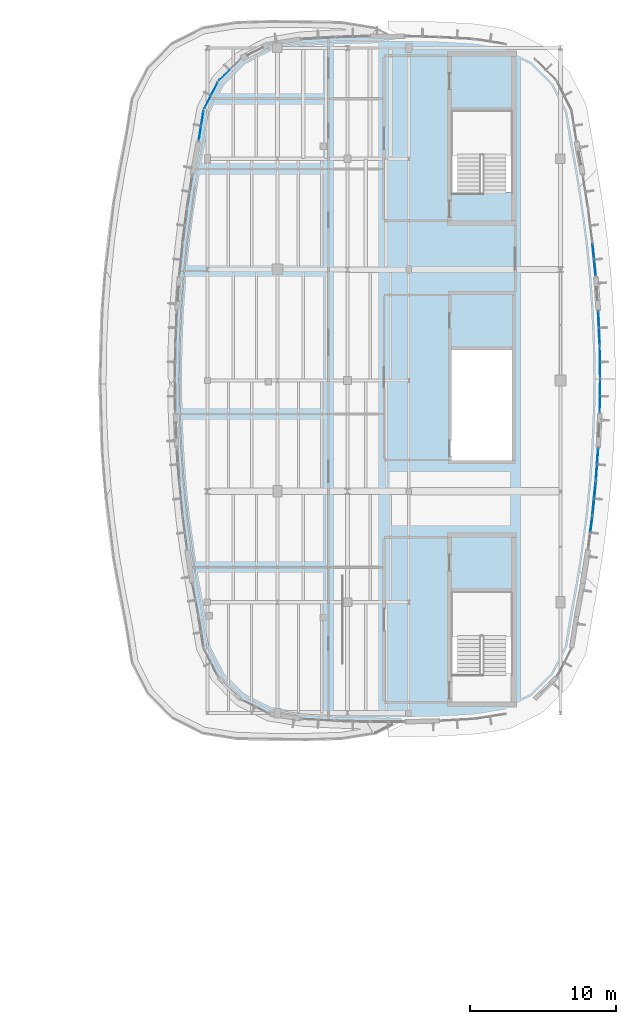
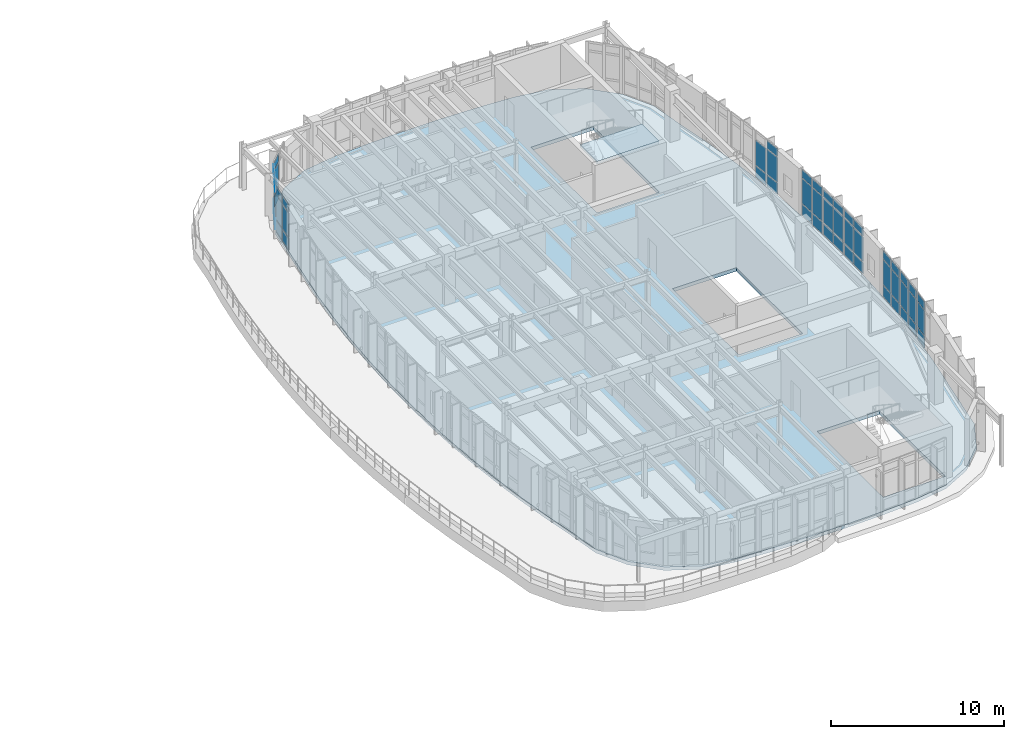
# One storey, part 20 of 30: 53 plates, 2 slabs, 11 elements without a shape of their own.
"""IFC4 building model written with IfcOpenShell, lengths in metres."""

from ifc_helpers import new_model, si_unit, direction, frame, origin, origin_2d, place, context, subcontext, project, spatial, polyline, rectangle, outline, extrude, material, layer, layer_set, type_object, element, aggregate, save


model = new_model("IFC4")

# Units and contexts
model_context = context("Model", 3, precision=1e-05, world=origin(), true_north=direction((0.0, 1.0)))
body_context = subcontext(model_context, "Body", "Model", "MODEL_VIEW")
ifc_project = project(units=[si_unit("LENGTHUNIT", "METRE"), si_unit("AREAUNIT", "SQUARE_METRE"), si_unit("VOLUMEUNIT", "CUBIC_METRE"), si_unit("PLANEANGLEUNIT", "RADIAN"), si_unit("MASSUNIT", "GRAM", prefix="KILO")], contexts=[model_context])

# Site, building, storey
site_placement = place(None, origin())
site = spatial("IfcSite", under=ifc_project, at=site_placement, CompositionType="ELEMENT")
building_placement = place(site_placement, origin())
building = spatial("IfcBuilding", under=site, at=building_placement, Name="Corveleigh Park Community Centre", CompositionType="ELEMENT")
storey_placement = place(building_placement, frame((0.0, 0.0, 12.60009765625)))
storey = spatial("IfcBuildingStorey", under=building, at=storey_placement, Name="L03", CompositionType="ELEMENT", Elevation=12.60009765625)

# Curtain wall, plates
ifc_material_1 = material(Name="Anodised aluminium 6063-T6", Category="aluminium")
curtain_wall_type = type_object("IfcCurtainWallType", Name="CW-SYS-V4-L03", PredefinedType="NOTDEFINED", material=ifc_material_1)
curtain_wall_1_placement = place(storey_placement, origin())
curtain_wall_1 = element("IfcCurtainWall", 1, at=curtain_wall_1_placement, inside=storey, type_object=curtain_wall_type, Name="V4 L03 Curtain Wall 409", PredefinedType="NOTDEFINED")
ifc_material_2 = material(Name="Low-E double glazing", Category="glass")
ifc_layer_1 = layer(ifc_material_2, 0.02392578125, Name="Low-E double glazing", Category="glass")
ifc_layer_set_1 = layer_set([ifc_layer_1], Name="Low-E double glazing")
plate_type_1 = type_object("IfcPlateType", Name="CWP-GLZ-24", PredefinedType="CURTAIN_PANEL", material=ifc_layer_set_1)
plate_1_placement = place(storey_placement, frame((171.116455078125, 80.89453125, 0.074951171875), z_axis=(0.0, 0.0, 1.0), x_axis=(-0.014186018617, -0.999899373375, 0.0)))
plate_1 = element("IfcPlate", 2, at=plate_1_placement, type_object=plate_type_1, Name="CW09 panel 1.1", PredefinedType="CURTAIN_PANEL", context=body_context, shape_type="SweptSolid", body=[
    extrude(rectangle(XDim=1.072998046875, YDim=0.02392578125, at=origin_2d()), origin(), (0.0, 0.0, 1.0), 0.78759765625),
])
plate_2_placement = place(storey_placement, frame((171.116455078125, 80.89453125, 0.9375), z_axis=(0.0, 0.0, 1.0), x_axis=(-0.014186018617, -0.999899373375, 0.0)))
plate_2 = element("IfcPlate", 3, at=plate_2_placement, type_object=plate_type_1, Name="CW09 panel 1.2", PredefinedType="CURTAIN_PANEL", context=body_context, shape_type="SweptSolid", body=[
    extrude(rectangle(XDim=1.072998046875, YDim=0.02392578125, at=origin_2d()), origin(), (0.0, 0.0, 1.0), 1.73193359375),
])
plate_3_placement = place(storey_placement, frame((171.116455078125, 80.89453125, 2.744384765625), z_axis=(0.0, 0.0, 1.0), x_axis=(-0.014186018617, -0.999899373375, 0.0)))
plate_3 = element("IfcPlate", 4, at=plate_3_placement, type_object=plate_type_1, Name="CW09 panel 1.3", PredefinedType="CURTAIN_PANEL", context=body_context, shape_type="SweptSolid", body=[
    extrude(rectangle(XDim=1.072998046875, YDim=0.02392578125, at=origin_2d()), origin(), (0.0, 0.0, 1.0), 0.53759765625),
])
plate_4_placement = place(storey_placement, frame((171.100341796875, 79.761474609375, 0.074951171875), z_axis=(0.0, 0.0, 1.0), x_axis=(-0.014186018617, -0.999899373375, 0.0)))
plate_4 = element("IfcPlate", 5, at=plate_4_placement, type_object=plate_type_1, Name="CW09 panel 2.1", PredefinedType="CURTAIN_PANEL", context=body_context, shape_type="SweptSolid", body=[
    extrude(rectangle(XDim=1.072998046875, YDim=0.02392578125, at=origin_2d()), origin(), (0.0, 0.0, 1.0), 0.78759765625),
])
plate_5_placement = place(storey_placement, frame((171.100341796875, 79.761474609375, 0.9375), z_axis=(0.0, 0.0, 1.0), x_axis=(-0.014186018617, -0.999899373375, 0.0)))
plate_5 = element("IfcPlate", 6, at=plate_5_placement, type_object=plate_type_1, Name="CW09 panel 2.2", PredefinedType="CURTAIN_PANEL", context=body_context, shape_type="SweptSolid", body=[
    extrude(rectangle(XDim=1.072998046875, YDim=0.02392578125, at=origin_2d()), origin(), (0.0, 0.0, 1.0), 1.73193359375),
])
plate_6_placement = place(storey_placement, frame((171.100341796875, 79.761474609375, 2.744384765625), z_axis=(0.0, 0.0, 1.0), x_axis=(-0.014186018617, -0.999899373375, 0.0)))
plate_6 = element("IfcPlate", 7, at=plate_6_placement, type_object=plate_type_1, Name="CW09 panel 2.3", PredefinedType="CURTAIN_PANEL", context=body_context, shape_type="SweptSolid", body=[
    extrude(rectangle(XDim=1.072998046875, YDim=0.02392578125, at=origin_2d()), origin(), (0.0, 0.0, 1.0), 0.53759765625),
])
aggregate(curtain_wall_1, [plate_1, plate_2, plate_3, plate_4, plate_5, plate_6])

curtain_wall_2_placement = place(storey_placement, origin())
curtain_wall_2 = element("IfcCurtainWall", 8, at=curtain_wall_2_placement, inside=storey, type_object=curtain_wall_type, Name="V4 L03 Curtain Wall 410", PredefinedType="NOTDEFINED")
plate_7_placement = place(storey_placement, frame((171.1005859375, 83.2373046875, 0.080078125), z_axis=(0.0, 0.0, 1.0), x_axis=(0.014186018617, -0.999899373375, 0.0)))
plate_7 = element("IfcPlate", 9, at=plate_7_placement, type_object=plate_type_1, Name="CW09 panel 1.1", PredefinedType="CURTAIN_PANEL", context=body_context, shape_type="SweptSolid", body=[
    extrude(rectangle(XDim=1.065673828125, YDim=0.02392578125, at=origin_2d()), origin(), (0.0, 0.0, 1.0), 0.780029296875),
])
plate_8_placement = place(storey_placement, frame((171.1005859375, 83.2373046875, 0.93994140625), z_axis=(0.0, 0.0, 1.0), x_axis=(0.014186018617, -0.999899373375, 0.0)))
plate_8 = element("IfcPlate", 10, at=plate_8_placement, type_object=plate_type_1, Name="CW09 panel 1.2", PredefinedType="CURTAIN_PANEL", context=body_context, shape_type="SweptSolid", body=[
    extrude(rectangle(XDim=1.065673828125, YDim=0.02392578125, at=origin_2d()), origin(), (0.0, 0.0, 1.0), 1.72705078125),
])
plate_9_placement = place(storey_placement, frame((171.1005859375, 83.2373046875, 2.7470703125), z_axis=(0.0, 0.0, 1.0), x_axis=(0.014186018617, -0.999899373375, 0.0)))
plate_9 = element("IfcPlate", 11, at=plate_9_placement, type_object=plate_type_1, Name="CW09 panel 1.3", PredefinedType="CURTAIN_PANEL", context=body_context, shape_type="SweptSolid", body=[
    extrude(rectangle(XDim=1.065673828125, YDim=0.02392578125, at=origin_2d()), origin(), (0.0, 0.0, 1.0), 0.530029296875),
])
plate_10_placement = place(storey_placement, frame((171.116455078125, 82.106689453125, 0.080078125), z_axis=(0.0, 0.0, 1.0), x_axis=(0.014186018617, -0.999899373375, 0.0)))
plate_10 = element("IfcPlate", 12, at=plate_10_placement, type_object=plate_type_1, Name="CW09 panel 2.1", PredefinedType="CURTAIN_PANEL", context=body_context, shape_type="SweptSolid", body=[
    extrude(rectangle(XDim=1.065673828125, YDim=0.02392578125, at=origin_2d()), origin(), (0.0, 0.0, 1.0), 0.780029296875),
])
plate_11_placement = place(storey_placement, frame((171.116455078125, 82.106689453125, 0.93994140625), z_axis=(0.0, 0.0, 1.0), x_axis=(0.014186018617, -0.999899373375, 0.0)))
plate_11 = element("IfcPlate", 13, at=plate_11_placement, type_object=plate_type_1, Name="CW09 panel 2.2", PredefinedType="CURTAIN_PANEL", context=body_context, shape_type="SweptSolid", body=[
    extrude(rectangle(XDim=1.065673828125, YDim=0.02392578125, at=origin_2d()), origin(), (0.0, 0.0, 1.0), 1.72705078125),
])
plate_12_placement = place(storey_placement, frame((171.116455078125, 82.106689453125, 2.7470703125), z_axis=(0.0, 0.0, 1.0), x_axis=(0.014186018617, -0.999899373375, 0.0)))
plate_12 = element("IfcPlate", 14, at=plate_12_placement, type_object=plate_type_1, Name="CW09 panel 2.3", PredefinedType="CURTAIN_PANEL", context=body_context, shape_type="SweptSolid", body=[
    extrude(rectangle(XDim=1.065673828125, YDim=0.02392578125, at=origin_2d()), origin(), (0.0, 0.0, 1.0), 0.530029296875),
])
aggregate(curtain_wall_2, [plate_7, plate_8, plate_9, plate_10, plate_11, plate_12])

curtain_wall_3_placement = place(storey_placement, origin())
curtain_wall_3 = element("IfcCurtainWall", 15, at=curtain_wall_3_placement, inside=storey, type_object=curtain_wall_type, Name="V4 L03 Curtain Wall 411", PredefinedType="NOTDEFINED")
ifc_layer_2 = layer(ifc_material_2, 0.028076171875, Name="Low-E double glazing", Category="glass")
ifc_layer_set_2 = layer_set([ifc_layer_2], Name="Low-E double glazing")
plate_type_2 = type_object("IfcPlateType", Name="CWP-GLZ-28", PredefinedType="CURTAIN_PANEL", material=ifc_layer_set_2)
plate_13_placement = place(storey_placement, frame((171.017822265625, 85.577880859375, 0.059814453125), z_axis=(0.0, 0.0, 1.0), x_axis=(0.043007952221, -0.999074729961, 0.0)))
plate_13 = element("IfcPlate", 16, at=plate_13_placement, type_object=plate_type_2, Name="CW09 panel 1.1", PredefinedType="CURTAIN_PANEL", context=body_context, shape_type="SweptSolid", body=[
    extrude(rectangle(XDim=1.0576171875, YDim=0.028076171875, at=origin_2d()), origin(), (0.0, 0.0, 1.0), 0.81005859375),
])
plate_14_placement = place(storey_placement, frame((171.017822265625, 85.577880859375, 0.929931640625), z_axis=(0.0, 0.0, 1.0), x_axis=(0.043007952221, -0.999074729961, 0.0)))
plate_14 = element("IfcPlate", 17, at=plate_14_placement, type_object=plate_type_2, Name="CW09 panel 1.2", PredefinedType="CURTAIN_PANEL", context=body_context, shape_type="SweptSolid", body=[
    extrude(rectangle(XDim=1.0576171875, YDim=0.028076171875, at=origin_2d()), origin(), (0.0, 0.0, 1.0), 1.7470703125),
])
plate_15_placement = place(storey_placement, frame((171.017822265625, 85.577880859375, 2.73681640625), z_axis=(0.0, 0.0, 1.0), x_axis=(0.043007952221, -0.999074729961, 0.0)))
plate_15 = element("IfcPlate", 18, at=plate_15_placement, type_object=plate_type_2, Name="CW09 panel 1.3", PredefinedType="CURTAIN_PANEL", context=body_context, shape_type="SweptSolid", body=[
    extrude(rectangle(XDim=1.0576171875, YDim=0.028076171875, at=origin_2d()), origin(), (0.0, 0.0, 1.0), 0.56005859375),
])
plate_16_placement = place(storey_placement, frame((171.066162109375, 84.451171875, 0.059814453125), z_axis=(0.0, 0.0, 1.0), x_axis=(0.043007952221, -0.999074729961, 0.0)))
plate_16 = element("IfcPlate", 19, at=plate_16_placement, type_object=plate_type_2, Name="CW09 panel 2.1", PredefinedType="CURTAIN_PANEL", context=body_context, shape_type="SweptSolid", body=[
    extrude(rectangle(XDim=1.0576171875, YDim=0.028076171875, at=origin_2d()), origin(), (0.0, 0.0, 1.0), 0.81005859375),
])
plate_17_placement = place(storey_placement, frame((171.066162109375, 84.451171875, 0.929931640625), z_axis=(0.0, 0.0, 1.0), x_axis=(0.043007952221, -0.999074729961, 0.0)))
plate_17 = element("IfcPlate", 20, at=plate_17_placement, type_object=plate_type_2, Name="CW09 panel 2.2", PredefinedType="CURTAIN_PANEL", context=body_context, shape_type="SweptSolid", body=[
    extrude(rectangle(XDim=1.0576171875, YDim=0.028076171875, at=origin_2d()), origin(), (0.0, 0.0, 1.0), 1.7470703125),
])
plate_18_placement = place(storey_placement, frame((171.066162109375, 84.451171875, 2.73681640625), z_axis=(0.0, 0.0, 1.0), x_axis=(0.043007952221, -0.999074729961, 0.0)))
plate_18 = element("IfcPlate", 21, at=plate_18_placement, type_object=plate_type_2, Name="CW09 panel 2.3", PredefinedType="CURTAIN_PANEL", context=body_context, shape_type="SweptSolid", body=[
    extrude(rectangle(XDim=1.0576171875, YDim=0.028076171875, at=origin_2d()), origin(), (0.0, 0.0, 1.0), 0.56005859375),
])
aggregate(curtain_wall_3, [plate_13, plate_14, plate_15, plate_16, plate_17, plate_18])

curtain_wall_4_placement = place(storey_placement, origin())
curtain_wall_4 = element("IfcCurtainWall", 22, at=curtain_wall_4_placement, inside=storey, type_object=curtain_wall_type, Name="V4 L03 Curtain Wall 412", PredefinedType="NOTDEFINED")
plate_19_placement = place(storey_placement, frame((170.653564453125, 90.24951171875, 0.06494140625), z_axis=(0.0, 0.0, 1.0), x_axis=(0.09929092919, -0.995058446213, 0.0)))
plate_19 = element("IfcPlate", 23, at=plate_19_placement, type_object=plate_type_2, Name="CW09 panel 1.1", PredefinedType="CURTAIN_PANEL", context=body_context, shape_type="SweptSolid", body=[
    extrude(rectangle(XDim=1.05078125, YDim=0.028076171875, at=origin_2d()), origin(), (0.0, 0.0, 1.0), 0.802490234375),
])
plate_20_placement = place(storey_placement, frame((170.653564453125, 90.24951171875, 0.9326171875), z_axis=(0.0, 0.0, 1.0), x_axis=(0.09929092919, -0.995058446213, 0.0)))
plate_20 = element("IfcPlate", 24, at=plate_20_placement, type_object=plate_type_2, Name="CW09 panel 1.2", PredefinedType="CURTAIN_PANEL", context=body_context, shape_type="SweptSolid", body=[
    extrude(rectangle(XDim=1.05078125, YDim=0.028076171875, at=origin_2d()), origin(), (0.0, 0.0, 1.0), 1.741943359375),
])
plate_21_placement = place(storey_placement, frame((170.765380859375, 89.12939453125, 0.06494140625), z_axis=(0.0, 0.0, 1.0), x_axis=(0.09929092919, -0.995058446213, 0.0)))
plate_21 = element("IfcPlate", 25, at=plate_21_placement, type_object=plate_type_2, Name="CW09 panel 2.1", PredefinedType="CURTAIN_PANEL", context=body_context, shape_type="SweptSolid", body=[
    extrude(rectangle(XDim=1.05078125, YDim=0.028076171875, at=origin_2d()), origin(), (0.0, 0.0, 1.0), 0.802490234375),
])
plate_22_placement = place(storey_placement, frame((170.765380859375, 89.12939453125, 0.9326171875), z_axis=(0.0, 0.0, 1.0), x_axis=(0.09929092919, -0.995058446213, 0.0)))
plate_22 = element("IfcPlate", 26, at=plate_22_placement, type_object=plate_type_2, Name="CW09 panel 2.2", PredefinedType="CURTAIN_PANEL", context=body_context, shape_type="SweptSolid", body=[
    extrude(rectangle(XDim=1.05078125, YDim=0.028076171875, at=origin_2d()), origin(), (0.0, 0.0, 1.0), 1.741943359375),
])
plate_23_placement = place(storey_placement, frame((170.765380859375, 89.12939453125, 2.7392578125), z_axis=(0.0, 0.0, 1.0), x_axis=(0.09929092919, -0.995058446213, 0.0)))
plate_23 = element("IfcPlate", 27, at=plate_23_placement, type_object=plate_type_2, Name="CW09 panel 2.3", PredefinedType="CURTAIN_PANEL", context=body_context, shape_type="SweptSolid", body=[
    extrude(rectangle(XDim=1.05078125, YDim=0.028076171875, at=origin_2d()), origin(), (0.0, 0.0, 1.0), 0.552490234375),
])
aggregate(curtain_wall_4, [plate_19, plate_20, plate_21, plate_22, plate_23])

curtain_wall_5_placement = place(storey_placement, origin())
curtain_wall_5 = element("IfcCurtainWall", 28, at=curtain_wall_5_placement, inside=storey, type_object=curtain_wall_type, Name="V4 L03 Curtain Wall 423", PredefinedType="NOTDEFINED")
plate_24_placement = place(storey_placement, frame((145.35009765625, 102.3271484375, 0.06982421875), z_axis=(0.0, 0.0, 1.0), x_axis=(0.707106781187, 0.707106781187, 0.0)))
plate_24 = element("IfcPlate", 29, at=plate_24_placement, type_object=plate_type_2, Name="CW09 panel 1.1", PredefinedType="CURTAIN_PANEL", context=body_context, shape_type="SweptSolid", body=[
    extrude(rectangle(XDim=0.9521484375, YDim=0.028076171875, at=origin_2d()), origin(), (0.0, 0.0, 1.0), 0.794921875),
])
plate_25_placement = place(storey_placement, frame((145.35009765625, 102.3271484375, 0.93505859375), z_axis=(0.0, 0.0, 1.0), x_axis=(0.707106781187, 0.707106781187, 0.0)))
plate_25 = element("IfcPlate", 30, at=plate_25_placement, type_object=plate_type_2, Name="CW09 panel 1.2", PredefinedType="CURTAIN_PANEL", context=body_context, shape_type="SweptSolid", body=[
    extrude(rectangle(XDim=0.9521484375, YDim=0.028076171875, at=origin_2d()), origin(), (0.0, 0.0, 1.0), 1.717041015625),
])
plate_26_placement = place(storey_placement, frame((145.35009765625, 102.3271484375, 2.721923828125), z_axis=(0.0, 0.0, 1.0), x_axis=(0.707106781187, 0.707106781187, 0.0)))
plate_26 = element("IfcPlate", 31, at=plate_26_placement, type_object=plate_type_2, Name="CW09 panel 1.3", PredefinedType="CURTAIN_PANEL", context=body_context, shape_type="SweptSolid", body=[
    extrude(rectangle(XDim=0.9521484375, YDim=0.028076171875, at=origin_2d()), origin(), (0.0, 0.0, 1.0), 0.544921875),
])
aggregate(curtain_wall_5, [plate_24, plate_25, plate_26])

curtain_wall_6_placement = place(storey_placement, origin())
curtain_wall_6 = element("IfcCurtainWall", 32, at=curtain_wall_6_placement, inside=storey, type_object=curtain_wall_type, Name="V4 L03 Curtain Wall 424", PredefinedType="NOTDEFINED")
plate_27_placement = place(storey_placement, frame((144.20849609375, 100.484375, 0.074951171875), z_axis=(0.0, 0.0, 1.0), x_axis=(0.454202173945, 0.890898639119, 0.0)))
plate_27 = element("IfcPlate", 33, at=plate_27_placement, type_object=plate_type_2, Name="CW09 panel 1.1", PredefinedType="CURTAIN_PANEL", context=body_context, shape_type="SweptSolid", body=[
    extrude(rectangle(XDim=0.9443359375, YDim=0.028076171875, at=origin_2d()), origin(), (0.0, 0.0, 1.0), 0.78759765625),
])
plate_28_placement = place(storey_placement, frame((144.20849609375, 100.484375, 0.9375), z_axis=(0.0, 0.0, 1.0), x_axis=(0.454202173945, 0.890898639119, 0.0)))
plate_28 = element("IfcPlate", 34, at=plate_28_placement, type_object=plate_type_2, Name="CW09 panel 1.2", PredefinedType="CURTAIN_PANEL", context=body_context, shape_type="SweptSolid", body=[
    extrude(rectangle(XDim=0.9443359375, YDim=0.028076171875, at=origin_2d()), origin(), (0.0, 0.0, 1.0), 1.7119140625),
])
plate_29_placement = place(storey_placement, frame((144.20849609375, 100.484375, 2.724365234375), z_axis=(0.0, 0.0, 1.0), x_axis=(0.454202173945, 0.890898639119, 0.0)))
plate_29 = element("IfcPlate", 35, at=plate_29_placement, type_object=plate_type_2, Name="CW09 panel 1.3", PredefinedType="CURTAIN_PANEL", context=body_context, shape_type="SweptSolid", body=[
    extrude(rectangle(XDim=0.9443359375, YDim=0.028076171875, at=origin_2d()), origin(), (0.0, 0.0, 1.0), 0.53759765625),
])
plate_30_placement = place(storey_placement, frame((144.67138671875, 101.392578125, 0.074951171875), z_axis=(0.0, 0.0, 1.0), x_axis=(0.454202173945, 0.890898639119, 0.0)))
plate_30 = element("IfcPlate", 36, at=plate_30_placement, type_object=plate_type_2, Name="CW09 panel 2.1", PredefinedType="CURTAIN_PANEL", context=body_context, shape_type="SweptSolid", body=[
    extrude(rectangle(XDim=0.9443359375, YDim=0.028076171875, at=origin_2d()), origin(), (0.0, 0.0, 1.0), 0.78759765625),
])
plate_31_placement = place(storey_placement, frame((144.67138671875, 101.392578125, 0.9375), z_axis=(0.0, 0.0, 1.0), x_axis=(0.454202173945, 0.890898639119, 0.0)))
plate_31 = element("IfcPlate", 37, at=plate_31_placement, type_object=plate_type_2, Name="CW09 panel 2.2", PredefinedType="CURTAIN_PANEL", context=body_context, shape_type="SweptSolid", body=[
    extrude(rectangle(XDim=0.9443359375, YDim=0.028076171875, at=origin_2d()), origin(), (0.0, 0.0, 1.0), 1.7119140625),
])
plate_32_placement = place(storey_placement, frame((144.67138671875, 101.392578125, 2.724365234375), z_axis=(0.0, 0.0, 1.0), x_axis=(0.454202173945, 0.890898639119, 0.0)))
plate_32 = element("IfcPlate", 38, at=plate_32_placement, type_object=plate_type_2, Name="CW09 panel 2.3", PredefinedType="CURTAIN_PANEL", context=body_context, shape_type="SweptSolid", body=[
    extrude(rectangle(XDim=0.9443359375, YDim=0.028076171875, at=origin_2d()), origin(), (0.0, 0.0, 1.0), 0.53759765625),
])
aggregate(curtain_wall_6, [plate_27, plate_28, plate_29, plate_30, plate_31, plate_32])

curtain_wall_7_placement = place(storey_placement, origin())
curtain_wall_7 = element("IfcCurtainWall", 39, at=curtain_wall_7_placement, inside=storey, type_object=curtain_wall_type, Name="V4 L03 Curtain Wall 425", PredefinedType="NOTDEFINED")
ifc_layer_3 = layer(ifc_material_2, 0.031982421875, Name="Low-E double glazing", Category="glass")
ifc_layer_set_3 = layer_set([ifc_layer_3], Name="Low-E double glazing")
plate_type_3 = type_object("IfcPlateType", Name="CWP-GLZ-32", PredefinedType="CURTAIN_PANEL", material=ifc_layer_set_3)
plate_33_placement = place(storey_placement, frame((143.688232421875, 98.357666015625, 0.080078125), z_axis=(0.0, 0.0, 1.0), x_axis=(0.15682535618, 0.987626350225, 0.0)))
plate_33 = element("IfcPlate", 40, at=plate_33_placement, type_object=plate_type_3, Name="CW09 panel 1.1", PredefinedType="CURTAIN_PANEL", context=body_context, shape_type="SweptSolid", body=[
    extrude(rectangle(XDim=0.951171875, YDim=0.031982421875, at=origin_2d()), origin(), (0.0, 0.0, 1.0), 0.780029296875),
])
plate_34_placement = place(storey_placement, frame((143.688232421875, 98.357666015625, 0.93994140625), z_axis=(0.0, 0.0, 1.0), x_axis=(0.15682535618, 0.987626350225, 0.0)))
plate_34 = element("IfcPlate", 41, at=plate_34_placement, type_object=plate_type_3, Name="CW09 panel 1.2", PredefinedType="CURTAIN_PANEL", context=body_context, shape_type="SweptSolid", body=[
    extrude(rectangle(XDim=0.951171875, YDim=0.031982421875, at=origin_2d()), origin(), (0.0, 0.0, 1.0), 1.70703125),
])
plate_35_placement = place(storey_placement, frame((143.688232421875, 98.357666015625, 2.72705078125), z_axis=(0.0, 0.0, 1.0), x_axis=(0.15682535618, 0.987626350225, 0.0)))
plate_35 = element("IfcPlate", 42, at=plate_35_placement, type_object=plate_type_3, Name="CW09 panel 1.3", PredefinedType="CURTAIN_PANEL", context=body_context, shape_type="SweptSolid", body=[
    extrude(rectangle(XDim=0.951171875, YDim=0.031982421875, at=origin_2d()), origin(), (0.0, 0.0, 1.0), 0.530029296875),
])
plate_36_placement = place(storey_placement, frame((143.849853515625, 99.376220703125, 0.080078125), z_axis=(0.0, 0.0, 1.0), x_axis=(0.15682535618, 0.987626350225, 0.0)))
plate_36 = element("IfcPlate", 43, at=plate_36_placement, type_object=plate_type_3, Name="CW09 panel 2.1", PredefinedType="CURTAIN_PANEL", context=body_context, shape_type="SweptSolid", body=[
    extrude(rectangle(XDim=0.951171875, YDim=0.031982421875, at=origin_2d()), origin(), (0.0, 0.0, 1.0), 0.780029296875),
])
plate_37_placement = place(storey_placement, frame((143.849853515625, 99.376220703125, 0.93994140625), z_axis=(0.0, 0.0, 1.0), x_axis=(0.15682535618, 0.987626350225, 0.0)))
plate_37 = element("IfcPlate", 44, at=plate_37_placement, type_object=plate_type_3, Name="CW09 panel 2.2", PredefinedType="CURTAIN_PANEL", context=body_context, shape_type="SweptSolid", body=[
    extrude(rectangle(XDim=0.951171875, YDim=0.031982421875, at=origin_2d()), origin(), (0.0, 0.0, 1.0), 1.70703125),
])
plate_38_placement = place(storey_placement, frame((143.849853515625, 99.376220703125, 2.72705078125), z_axis=(0.0, 0.0, 1.0), x_axis=(0.15682535618, 0.987626350225, 0.0)))
plate_38 = element("IfcPlate", 45, at=plate_38_placement, type_object=plate_type_3, Name="CW09 panel 2.3", PredefinedType="CURTAIN_PANEL", context=body_context, shape_type="SweptSolid", body=[
    extrude(rectangle(XDim=0.951171875, YDim=0.031982421875, at=origin_2d()), origin(), (0.0, 0.0, 1.0), 0.530029296875),
])
aggregate(curtain_wall_7, [plate_33, plate_34, plate_35, plate_36, plate_37, plate_38])

curtain_wall_8_placement = place(storey_placement, origin())
curtain_wall_8 = element("IfcCurtainWall", 46, at=curtain_wall_8_placement, inside=storey, type_object=curtain_wall_type, Name="V4 L03 Curtain Wall 406", PredefinedType="NOTDEFINED")
ifc_layer_4 = layer(ifc_material_2, 0.0400390625, Name="Low-E double glazing", Category="glass")
ifc_layer_set_4 = layer_set([ifc_layer_4], Name="Low-E double glazing")
plate_type_4 = type_object("IfcPlateType", Name="CWP-GLZ-40", PredefinedType="CURTAIN_PANEL", material=ifc_layer_set_4)
plate_39_placement = place(storey_placement, frame((170.515625, 71.53955078125, 0.059814453125), z_axis=(0.0, 0.0, 1.0), x_axis=(-0.127261927639, -0.991869145489, 0.0)))
plate_39 = element("IfcPlate", 47, at=plate_39_placement, type_object=plate_type_4, Name="CW09 panel 1.1", PredefinedType="CURTAIN_PANEL", context=body_context, shape_type="SweptSolid", body=[
    extrude(rectangle(XDim=1.050537109375, YDim=0.0400390625, at=origin_2d()), origin(), (0.0, 0.0, 1.0), 0.81005859375),
])
plate_40_placement = place(storey_placement, frame((170.515625, 71.53955078125, 0.929931640625), z_axis=(0.0, 0.0, 1.0), x_axis=(-0.127261927639, -0.991869145489, 0.0)))
plate_40 = element("IfcPlate", 48, at=plate_40_placement, type_object=plate_type_4, Name="CW09 panel 1.2", PredefinedType="CURTAIN_PANEL", context=body_context, shape_type="SweptSolid", body=[
    extrude(rectangle(XDim=1.050537109375, YDim=0.0400390625, at=origin_2d()), origin(), (0.0, 0.0, 1.0), 1.7470703125),
])
plate_41_placement = place(storey_placement, frame((170.515625, 71.53955078125, 2.73681640625), z_axis=(0.0, 0.0, 1.0), x_axis=(-0.127261927639, -0.991869145489, 0.0)))
plate_41 = element("IfcPlate", 49, at=plate_41_placement, type_object=plate_type_4, Name="CW09 panel 1.3", PredefinedType="CURTAIN_PANEL", context=body_context, shape_type="SweptSolid", body=[
    extrude(rectangle(XDim=1.050537109375, YDim=0.0400390625, at=origin_2d()), origin(), (0.0, 0.0, 1.0), 0.56005859375),
])
aggregate(curtain_wall_8, [plate_39, plate_40, plate_41])

curtain_wall_9_placement = place(storey_placement, origin())
curtain_wall_9 = element("IfcCurtainWall", 50, at=curtain_wall_9_placement, inside=storey, type_object=curtain_wall_type, Name="V4 L03 Curtain Wall 407", PredefinedType="NOTDEFINED")
ifc_layer_5 = layer(ifc_material_2, 0.0439453125, Name="Low-E double glazing", Category="glass")
ifc_layer_set_5 = layer_set([ifc_layer_5], Name="Low-E double glazing")
plate_type_5 = type_object("IfcPlateType", Name="CWP-GLZ-44", PredefinedType="CURTAIN_PANEL", material=ifc_layer_set_5)
plate_42_placement = place(storey_placement, frame((170.765380859375, 73.869384765625, 0.06494140625), z_axis=(0.0, 0.0, 1.0), x_axis=(-0.09929092919, -0.995058446213, 0.0)))
plate_42 = element("IfcPlate", 51, at=plate_42_placement, type_object=plate_type_5, Name="CW09 panel 1.1", PredefinedType="CURTAIN_PANEL", context=body_context, shape_type="SweptSolid", body=[
    extrude(rectangle(XDim=1.043212890625, YDim=0.0439453125, at=origin_2d()), origin(), (0.0, 0.0, 1.0), 0.802490234375),
])
plate_43_placement = place(storey_placement, frame((170.765380859375, 73.869384765625, 0.9326171875), z_axis=(0.0, 0.0, 1.0), x_axis=(-0.09929092919, -0.995058446213, 0.0)))
plate_43 = element("IfcPlate", 52, at=plate_43_placement, type_object=plate_type_5, Name="CW09 panel 1.2", PredefinedType="CURTAIN_PANEL", context=body_context, shape_type="SweptSolid", body=[
    extrude(rectangle(XDim=1.043212890625, YDim=0.0439453125, at=origin_2d()), origin(), (0.0, 0.0, 1.0), 1.741943359375),
])
plate_44_placement = place(storey_placement, frame((170.765380859375, 73.869384765625, 2.7392578125), z_axis=(0.0, 0.0, 1.0), x_axis=(-0.09929092919, -0.995058446213, 0.0)))
plate_44 = element("IfcPlate", 53, at=plate_44_placement, type_object=plate_type_5, Name="CW09 panel 1.3", PredefinedType="CURTAIN_PANEL", context=body_context, shape_type="SweptSolid", body=[
    extrude(rectangle(XDim=1.043212890625, YDim=0.0439453125, at=origin_2d()), origin(), (0.0, 0.0, 1.0), 0.552490234375),
])
plate_45_placement = place(storey_placement, frame((170.65380859375, 72.751708984375, 0.06494140625), z_axis=(0.0, 0.0, 1.0), x_axis=(-0.09929092919, -0.995058446213, 0.0)))
plate_45 = element("IfcPlate", 54, at=plate_45_placement, type_object=plate_type_5, Name="CW09 panel 2.1", PredefinedType="CURTAIN_PANEL", context=body_context, shape_type="SweptSolid", body=[
    extrude(rectangle(XDim=1.043212890625, YDim=0.0439453125, at=origin_2d()), origin(), (0.0, 0.0, 1.0), 0.802490234375),
])
plate_46_placement = place(storey_placement, frame((170.65380859375, 72.751708984375, 0.9326171875), z_axis=(0.0, 0.0, 1.0), x_axis=(-0.09929092919, -0.995058446213, 0.0)))
plate_46 = element("IfcPlate", 55, at=plate_46_placement, type_object=plate_type_5, Name="CW09 panel 2.2", PredefinedType="CURTAIN_PANEL", context=body_context, shape_type="SweptSolid", body=[
    extrude(rectangle(XDim=1.043212890625, YDim=0.0439453125, at=origin_2d()), origin(), (0.0, 0.0, 1.0), 1.741943359375),
])
plate_47_placement = place(storey_placement, frame((170.65380859375, 72.751708984375, 2.7392578125), z_axis=(0.0, 0.0, 1.0), x_axis=(-0.09929092919, -0.995058446213, 0.0)))
plate_47 = element("IfcPlate", 56, at=plate_47_placement, type_object=plate_type_5, Name="CW09 panel 2.3", PredefinedType="CURTAIN_PANEL", context=body_context, shape_type="SweptSolid", body=[
    extrude(rectangle(XDim=1.043212890625, YDim=0.0439453125, at=origin_2d()), origin(), (0.0, 0.0, 1.0), 0.552490234375),
])
aggregate(curtain_wall_9, [plate_42, plate_43, plate_44, plate_45, plate_46, plate_47])

curtain_wall_10_placement = place(storey_placement, origin())
curtain_wall_10 = element("IfcCurtainWall", 57, at=curtain_wall_10_placement, inside=storey, type_object=curtain_wall_type, Name="V4 L03 Curtain Wall 408", PredefinedType="NOTDEFINED")
plate_48_placement = place(storey_placement, frame((170.948486328125, 76.204833984375, 0.06982421875), z_axis=(0.0, 0.0, 1.0), x_axis=(-0.070513695282, -0.997510811359, 0.0)))
plate_48 = element("IfcPlate", 58, at=plate_48_placement, type_object=plate_type_5, Name="CW09 panel 1.1", PredefinedType="CURTAIN_PANEL", context=body_context, shape_type="SweptSolid", body=[
    extrude(rectangle(XDim=1.035400390625, YDim=0.0439453125, at=origin_2d()), origin(), (0.0, 0.0, 1.0), 0.794921875),
])
plate_49_placement = place(storey_placement, frame((170.948486328125, 76.204833984375, 0.93505859375), z_axis=(0.0, 0.0, 1.0), x_axis=(-0.070513695282, -0.997510811359, 0.0)))
plate_49 = element("IfcPlate", 59, at=plate_49_placement, type_object=plate_type_5, Name="CW09 panel 1.2", PredefinedType="CURTAIN_PANEL", context=body_context, shape_type="SweptSolid", body=[
    extrude(rectangle(XDim=1.035400390625, YDim=0.0439453125, at=origin_2d()), origin(), (0.0, 0.0, 1.0), 1.737060546875),
])
plate_50_placement = place(storey_placement, frame((170.948486328125, 76.204833984375, 2.741943359375), z_axis=(0.0, 0.0, 1.0), x_axis=(-0.070513695282, -0.997510811359, 0.0)))
plate_50 = element("IfcPlate", 60, at=plate_50_placement, type_object=plate_type_5, Name="CW09 panel 1.3", PredefinedType="CURTAIN_PANEL", context=body_context, shape_type="SweptSolid", body=[
    extrude(rectangle(XDim=1.035400390625, YDim=0.0439453125, at=origin_2d()), origin(), (0.0, 0.0, 1.0), 0.544921875),
])
plate_51_placement = place(storey_placement, frame((170.869384765625, 75.087158203125, 0.06982421875), z_axis=(0.0, 0.0, 1.0), x_axis=(-0.070513695282, -0.997510811359, 0.0)))
plate_51 = element("IfcPlate", 61, at=plate_51_placement, type_object=plate_type_5, Name="CW09 panel 2.1", PredefinedType="CURTAIN_PANEL", context=body_context, shape_type="SweptSolid", body=[
    extrude(rectangle(XDim=1.035400390625, YDim=0.0439453125, at=origin_2d()), origin(), (0.0, 0.0, 1.0), 0.794921875),
])
plate_52_placement = place(storey_placement, frame((170.869384765625, 75.087158203125, 0.93505859375), z_axis=(0.0, 0.0, 1.0), x_axis=(-0.070513695282, -0.997510811359, 0.0)))
plate_52 = element("IfcPlate", 62, at=plate_52_placement, type_object=plate_type_5, Name="CW09 panel 2.2", PredefinedType="CURTAIN_PANEL", context=body_context, shape_type="SweptSolid", body=[
    extrude(rectangle(XDim=1.035400390625, YDim=0.0439453125, at=origin_2d()), origin(), (0.0, 0.0, 1.0), 1.737060546875),
])
plate_53_placement = place(storey_placement, frame((170.869384765625, 75.087158203125, 2.741943359375), z_axis=(0.0, 0.0, 1.0), x_axis=(-0.070513695282, -0.997510811359, 0.0)))
plate_53 = element("IfcPlate", 63, at=plate_53_placement, type_object=plate_type_5, Name="CW09 panel 2.3", PredefinedType="CURTAIN_PANEL", context=body_context, shape_type="SweptSolid", body=[
    extrude(rectangle(XDim=1.035400390625, YDim=0.0439453125, at=origin_2d()), origin(), (0.0, 0.0, 1.0), 0.544921875),
])
aggregate(curtain_wall_10, [plate_48, plate_49, plate_50, plate_51, plate_52, plate_53])

# Slab
ifc_material_3 = material(Name="Concrete C32/40", Category="concrete")
ifc_layer_6 = layer(ifc_material_3, 0.25, Name="Concrete C32/40", Category="concrete")
ifc_layer_set_6 = layer_set([ifc_layer_6], Name="Concrete C32/40")
slab_type_1 = type_object("IfcSlabType", Name="SLB-FLR-250", PredefinedType="FLOOR", material=ifc_layer_set_6)
slab_1_placement = place(storey_placement, frame((0.0, 0.0, -0.25)))
element("IfcSlab", 64, at=slab_1_placement, inside=storey, type_object=slab_type_1, Name="V4 L03 floor slab", PredefinedType="FLOOR", context=body_context, shape_type="SweptSolid", body=[
    extrude(outline(polyline([(148.43701171875, 58.54296875), (146.486083984375, 59.537109375), (144.93701171875, 61.0859375), (143.943115234375, 63.037109375), (143.60009765625, 65.199951171875), (143.169921875, 67.50390625), (142.804931640625, 69.819091796875), (142.507080078125, 72.14404296875), (142.27392578125, 74.47705078125), (142.10791015625, 76.81494140625), (142.008056640625, 79.156005859375), (141.97509765625, 81.5), (142.008056640625, 83.843994140625), (142.10791015625, 86.18505859375), (142.27392578125, 88.52294921875), (142.507080078125, 90.85595703125), (142.804931640625, 93.180908203125), (143.943115234375, 99.962890625), (144.93701171875, 101.9140625), (146.486083984375, 103.462890625), (148.43701171875, 104.45703125), (150.60009765625, 104.800048828125), (152.97802734375, 104.93505859375), (155.35888671875, 105.0029296875), (157.740966796875, 105.0029296875), (160.1220703125, 104.93505859375), (162.5, 104.800048828125), (164.6630859375, 104.45703125), (166.614013671875, 103.462890625), (168.1630859375, 101.9140625), (169.156982421875, 99.962890625), (169.5, 97.800048828125), (169.929931640625, 95.49609375), (170.294921875, 93.180908203125), (170.593017578125, 90.85595703125), (170.825927734375, 88.52294921875), (170.991943359375, 86.18505859375), (171.092041015625, 83.843994140625), (171.125, 81.5), (171.092041015625, 79.156005859375), (170.991943359375, 76.81494140625), (170.825927734375, 74.47705078125), (170.593017578125, 72.14404296875), (170.294921875, 69.819091796875), (169.156982421875, 63.037109375), (168.1630859375, 61.0859375), (166.614013671875, 59.537109375), (164.6630859375, 58.54296875), (162.5, 58.199951171875), (160.1220703125, 58.06494140625), (157.740966796875, 57.9970703125), (155.35888671875, 57.9970703125), (152.97802734375, 58.06494140625), (150.60009765625, 58.199951171875), (148.43701171875, 58.54296875)]), holes=[polyline([(160.9208984375, 59.321044921875), (165.0791015625, 59.321044921875), (165.0791015625, 66.928955078125), (160.9208984375, 66.928955078125), (160.9208984375, 59.321044921875)]), polyline([(160.87109375, 83.529052734375), (160.87109375, 75.87109375), (165.12890625, 75.87109375), (165.12890625, 83.529052734375), (160.87109375, 83.529052734375)]), polyline([(160.9208984375, 99.928955078125), (160.9208984375, 92.321044921875), (165.0791015625, 92.321044921875), (165.0791015625, 99.928955078125), (160.9208984375, 99.928955078125)])]), origin(), (0.0, 0.0, 1.0), 0.25),
])

# Stair, slab
stair_type = type_object("IfcStairType", Name="STR-HT-1600-360", PredefinedType="USERDEFINED", material=ifc_material_3)
stair_placement = place(storey_placement, origin())
stair = element("IfcStair", 65, at=stair_placement, inside=storey, type_object=stair_type, Name="Protected escape stair ST2 (L03 to L04)", ObjectType="TWO_RETURN_STAIR", PredefinedType="USERDEFINED")
ifc_layer_7 = layer(ifc_material_3, 0.18798828125, Name="Concrete C32/40", Category="concrete")
ifc_layer_set_7 = layer_set([ifc_layer_7], Name="Concrete C32/40")
slab_type_2 = type_object("IfcSlabType", Name="SLB-LND-188", PredefinedType="LANDING", material=ifc_layer_set_7)
slab_2_placement = place(storey_placement, frame((0.0, 0.0, 3.411865234375)))
slab_2 = element("IfcSlab", 66, at=slab_2_placement, type_object=slab_type_2, Name="ST2 upper landing", PredefinedType="LANDING", context=body_context, shape_type="SweptSolid", body=[
    extrude(outline(polyline([(160.927001953125, 92.326904296875), (165.072998046875, 92.326904296875), (165.072998046875, 94.300048828125), (160.927001953125, 94.300048828125), (160.927001953125, 92.326904296875)])), origin(), (0.0, 0.0, 1.0), 0.18798828125),
])
aggregate(stair, [slab_2])

save(model, "model.ifc")
